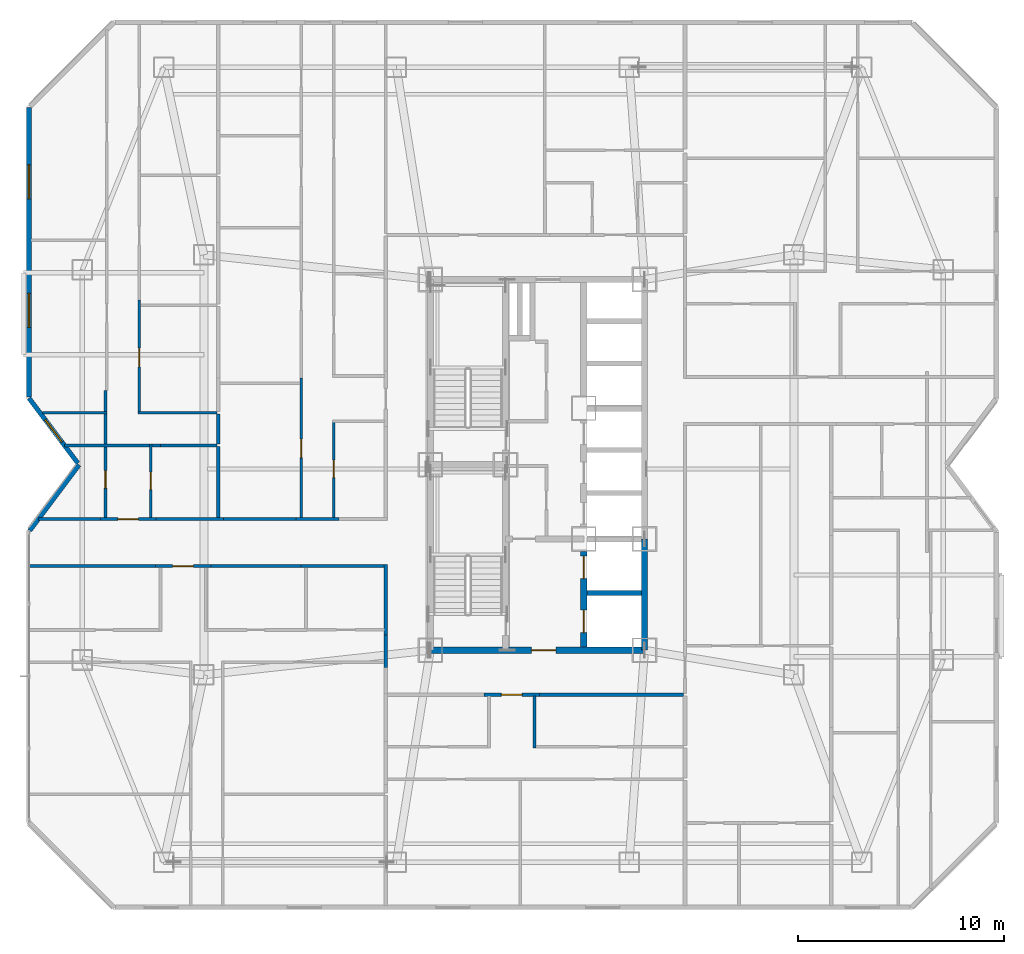
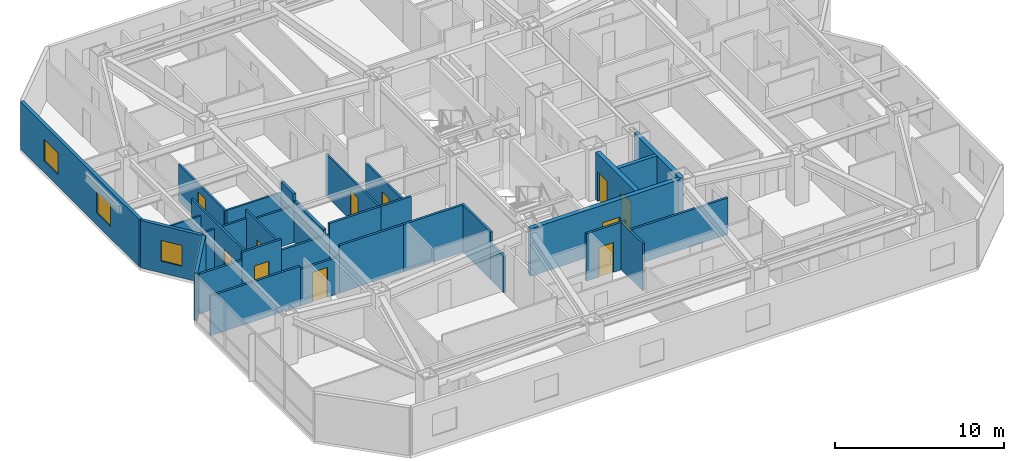
# One storey, part 12 of 19: 32 walls, 11 doors, 3 windows, 14 openings.
"""IFC4 building model written with IfcOpenShell, lengths in metres."""

from ifc_helpers import new_model, si_unit, direction, frame, frame_2d, origin, place, context, subcontext, project, spatial, rectangle, extrude, material, layer, layer_set, type_object, element, fill, save


model = new_model("IFC4")

# Units and contexts
model_context = context("Model", 3, precision=1e-05, world=origin(), true_north=direction((0.0, 1.0)))
body_context = subcontext(model_context, "Body", "Model", "MODEL_VIEW")
ifc_project = project(units=[si_unit("LENGTHUNIT", "METRE"), si_unit("AREAUNIT", "SQUARE_METRE"), si_unit("VOLUMEUNIT", "CUBIC_METRE"), si_unit("PLANEANGLEUNIT", "RADIAN"), si_unit("MASSUNIT", "GRAM", prefix="KILO")], contexts=[model_context])

# Site, building, storey
site_placement = place(None, origin())
site = spatial("IfcSite", under=ifc_project, at=site_placement, CompositionType="ELEMENT")
building_placement = place(site_placement, origin())
building = spatial("IfcBuilding", under=site, at=building_placement, Name="Khamvora Tower", CompositionType="ELEMENT")
storey_placement = place(building_placement, frame((0.0, 0.0, 120.14990234375)))
storey = spatial("IfcBuildingStorey", under=building, at=storey_placement, Name="L30", CompositionType="ELEMENT", Elevation=120.14990234375)

# Wall, opening, door
ifc_material_1 = material(Name="Concrete C50/60", Category="concrete")
ifc_layer_1 = layer(ifc_material_1, 0.300048828125)
ifc_layer_set_1 = layer_set([ifc_layer_1], Name="Concrete C50/60")
wall_type_1 = type_object("IfcWallType", Name="WAL-CORE-300", PredefinedType="SHEAR", material=ifc_layer_set_1)
wall_1_placement = place(storey_placement, frame((29.0, 19.0, 0.0), z_axis=(0.0, 0.0, 1.0), x_axis=(1.0, 0.0, 0.0)))
wall_1 = element("IfcWall", 1, at=wall_1_placement, inside=storey, type_object=wall_type_1, Name="L30 central core south wall", PredefinedType="SHEAR", context=body_context, shape_type="SweptSolid", body=[
    extrude(rectangle(XDim=10.39990234375, YDim=0.300048828125, at=frame_2d((5.199951171875, 0.0))), origin(), (0.0, 0.0, 1.0), 3.43017578125),
])
opening_1_placement = place(wall_1_placement, frame((4.89990234375, 0.0, 0.0)))
opening_1 = element("IfcOpeningElement", 2, at=opening_1_placement, cuts=wall_1, Name="Opening D-CR1", PredefinedType="OPENING", context=body_context, shape_type="SweptSolid", body=[
    extrude(rectangle(XDim=1.199951171875, YDim=2.14990234375, at=frame_2d((0.60009765625, 1.074951171875))), frame((0.0, 0.159912109375, 0.0), z_axis=(0.0, -1.0, 0.0), x_axis=(1.0, 0.0, 0.0)), (0.0, 0.0, 1.0), 0.320068359375),
])
ifc_material_2 = material(Name="Powder-Coated Steel and Hardwood Leaf", Category="steel")
door_type_1 = type_object("IfcDoorType", Name="DOR-CORR-1200", OperationType="NOTDEFINED", PredefinedType="DOOR", material=ifc_material_2)
door_1_placement = place(opening_1_placement, origin())
door_1 = element("IfcDoor", 3, at=door_1_placement, inside=storey, type_object=door_type_1, Name="L30 south core lobby to corridor fire door", OperationType="SINGLE_SWING_LEFT", OverallHeight=2.14990234375, OverallWidth=1.199951171875, PredefinedType="DOOR", context=body_context, shape_type="SweptSolid", body=[
    extrude(rectangle(XDim=1.199951171875, YDim=2.14990234375, at=frame_2d((0.60009765625, 1.074951171875))), frame((0.0, 0.02490234375, 0.0), z_axis=(0.0, -1.0, 0.0), x_axis=(1.0, 0.0, 0.0)), (0.0, 0.0, 1.0), 0.050048828125),
])
fill(opening_1, door_1)

# Wall
wall_2_placement = place(storey_placement, frame((39.39990234375, 19.0, 0.0), z_axis=(0.0, 0.0, 1.0), x_axis=(0.0, 1.0, 0.0)))
element("IfcWall", 4, at=wall_2_placement, inside=storey, type_object=wall_type_1, Name="L30 central core east south wall", PredefinedType="SHEAR", context=body_context, shape_type="SweptSolid", body=[
    extrude(rectangle(XDim=5.39990234375, YDim=0.300048828125, at=frame_2d((2.699951171875, 0.0))), origin(), (0.0, 0.0, 1.0), 3.43017578125),
])

# Wall, openings, doors
wall_3_placement = place(storey_placement, frame((36.449951171875, 19.154052734375, 0.0), z_axis=(0.0, 0.0, 1.0), x_axis=(0.0, 1.0, 0.0)))
wall_3 = element("IfcWall", 5, at=wall_3_placement, inside=storey, type_object=wall_type_1, Name="L30 central core lift bank south wall", PredefinedType="SHEAR", context=body_context, shape_type="SweptSolid", body=[
    extrude(rectangle(XDim=4.64599609375, YDim=0.300048828125, at=frame_2d((2.322998046875, 0.0))), origin(), (0.0, 0.0, 1.0), 3.43017578125),
])
opening_2_placement = place(wall_3_placement, frame((0.696044921875, 0.0, 0.0)))
opening_2 = element("IfcOpeningElement", 6, at=opening_2_placement, cuts=wall_3, Name="Opening LD-FFL", PredefinedType="OPENING", context=body_context, shape_type="SweptSolid", body=[
    extrude(rectangle(XDim=1.10009765625, YDim=2.14990234375, at=frame_2d((0.550048828125, 1.074951171875))), frame((0.0, 0.159912109375, 0.0), z_axis=(0.0, -1.0, 0.0), x_axis=(1.0, 0.0, 0.0)), (0.0, 0.0, 1.0), 0.320068359375),
])
opening_3_placement = place(wall_3_placement, frame((3.31591796875, 0.0, 0.0)))
opening_3 = element("IfcOpeningElement", 7, at=opening_3_placement, cuts=wall_3, Name="Opening LD-FFL", PredefinedType="OPENING", context=body_context, shape_type="SweptSolid", body=[
    extrude(rectangle(XDim=1.10009765625, YDim=2.14990234375, at=frame_2d((0.550048828125, 1.074951171875))), frame((0.0, 0.159912109375, 0.0), z_axis=(0.0, -1.0, 0.0), x_axis=(1.0, 0.0, 0.0)), (0.0, 0.0, 1.0), 0.320068359375),
])
door_type_2 = type_object("IfcDoorType", Name="DOR-LIFT-1100", OperationType="SLIDING_TO_LEFT", PredefinedType="DOOR", material=ifc_material_2)
door_2_placement = place(opening_2_placement, origin())
door_2 = element("IfcDoor", 8, at=door_2_placement, inside=storey, type_object=door_type_2, Name="L30 lift landing sliding door FFL-01", OperationType="SLIDING_TO_LEFT", OverallHeight=2.14990234375, OverallWidth=1.10009765625, PredefinedType="DOOR", context=body_context, shape_type="SweptSolid", body=[
    extrude(rectangle(XDim=1.10009765625, YDim=2.14990234375, at=frame_2d((0.550048828125, 1.074951171875))), frame((0.0, 0.02490234375, 0.0), z_axis=(0.0, -1.0, 0.0), x_axis=(1.0, 0.0, 0.0)), (0.0, 0.0, 1.0), 0.050048828125),
])
fill(opening_2, door_2)
door_3_placement = place(opening_3_placement, origin())
door_3 = element("IfcDoor", 9, at=door_3_placement, inside=storey, type_object=door_type_2, Name="L30 lift landing sliding door FFL-02", OperationType="SLIDING_TO_LEFT", OverallHeight=2.14990234375, OverallWidth=1.10009765625, PredefinedType="DOOR", context=body_context, shape_type="SweptSolid", body=[
    extrude(rectangle(XDim=1.10009765625, YDim=2.14990234375, at=frame_2d((0.550048828125, 1.074951171875))), frame((0.0, 0.02490234375, 0.0), z_axis=(0.0, -1.0, 0.0), x_axis=(1.0, 0.0, 0.0)), (0.0, 0.0, 1.0), 0.050048828125),
])
fill(opening_3, door_3)

# Walls
ifc_material_3 = material(Name="Fire-Rated Drywall and Steel Stud", Category="steel")
ifc_layer_2 = layer(ifc_material_3, 0.14990234375)
ifc_layer_set_2 = layer_set([ifc_layer_2], Name="Fire-Rated Drywall and Steel Stud")
wall_type_2 = type_object("IfcWallType", Name="WAL-CORR-150", PredefinedType="STANDARD", material=ifc_layer_set_2)
wall_4_placement = place(storey_placement, frame((26.8349609375, 19.73388671875, 0.0), z_axis=(0.0, 0.0, 1.0), x_axis=(0.0, 1.0, 0.0)))
element("IfcWall", 10, at=wall_4_placement, inside=storey, type_object=wall_type_2, Name="L30 interior partition wall 007", PredefinedType="STANDARD", context=body_context, shape_type="SweptSolid", body=[
    extrude(rectangle(XDim=3.416015625, YDim=0.14990234375, at=frame_2d((1.7080078125, 0.0))), origin(), (0.0, 0.0, 1.0), 3.43017578125),
])
wall_5_placement = place(storey_placement, frame((26.89794921875, 23.0849609375, 0.0), z_axis=(0.0, 0.0, 1.0), x_axis=(-1.0, 0.0, 0.0)))
element("IfcWall", 11, at=wall_5_placement, inside=storey, type_object=wall_type_2, Name="L30 interior partition wall 008", PredefinedType="STANDARD", context=body_context, shape_type="SweptSolid", body=[
    extrude(rectangle(XDim=4.19189453125, YDim=0.14990234375, at=frame_2d((2.095947265625, 0.0))), origin(), (0.0, 0.0, 1.0), 3.43017578125),
])
wall_6_placement = place(storey_placement, frame((26.8349609375, 18.154052734375, 0.0), z_axis=(0.0, 0.0, 1.0), x_axis=(0.0, 1.0, 0.0)))
element("IfcWall", 12, at=wall_6_placement, inside=storey, type_object=wall_type_2, Name="L30 interior partition wall 009", PredefinedType="STANDARD", context=body_context, shape_type="SweptSolid", body=[
    extrude(rectangle(XDim=1.579833984375, YDim=0.14990234375, at=frame_2d((0.7900390625, 0.0))), origin(), (0.0, 0.0, 1.0), 2.647216796875),
])

# Wall, opening, door
wall_7_placement = place(storey_placement, frame((18.339111328125, 23.0849609375, 0.0), z_axis=(0.0, 0.0, 1.0), x_axis=(-1.0, 0.0, 0.0)))
wall_7 = element("IfcWall", 13, at=wall_7_placement, inside=storey, type_object=wall_type_2, Name="L30 interior partition wall 010", PredefinedType="STANDARD", context=body_context, shape_type="SweptSolid", body=[
    extrude(rectangle(XDim=2.697998046875, YDim=0.14990234375, at=frame_2d((1.34912109375, 0.0))), origin(), (0.0, 0.0, 1.0), 2.647216796875),
])
opening_4_placement = place(wall_7_placement, frame((0.84912109375, 0.0, 0.0)))
opening_4 = element("IfcOpeningElement", 14, at=opening_4_placement, cuts=wall_7, Name="Opening D-U1", PredefinedType="OPENING", context=body_context, shape_type="SweptSolid", body=[
    extrude(rectangle(XDim=1.0, YDim=2.14990234375, at=frame_2d((0.5, 1.074951171875))), frame((0.0, 0.0849609375, 0.0), z_axis=(0.0, -1.0, 0.0), x_axis=(1.0, 0.0, 0.0)), (0.0, 0.0, 1.0), 0.169921875),
])
door_type_3 = type_object("IfcDoorType", Name="DOR-UNIT-1000", OperationType="NOTDEFINED", PredefinedType="DOOR", material=ifc_material_2)
door_4_placement = place(opening_4_placement, origin())
door_4 = element("IfcDoor", 15, at=door_4_placement, inside=storey, type_object=door_type_3, Name="L30 interior door COR-30WAH", OperationType="SINGLE_SWING_RIGHT", OverallHeight=2.14990234375, OverallWidth=1.0, PredefinedType="DOOR", context=body_context, shape_type="SweptSolid", body=[
    extrude(rectangle(XDim=1.0, YDim=2.14990234375, at=frame_2d((0.5, 1.074951171875))), frame((0.0, 0.02490234375, 0.0), z_axis=(0.0, -1.0, 0.0), x_axis=(1.0, 0.0, 0.0)), (0.0, 0.0, 1.0), 0.050048828125),
])
fill(opening_4, door_4)

# Walls
wall_8_placement = place(storey_placement, frame((22.7060546875, 23.0849609375, 0.0), z_axis=(0.0, 0.0, 1.0), x_axis=(-1.0, 0.0, 0.0)))
element("IfcWall", 16, at=wall_8_placement, inside=storey, type_object=wall_type_2, Name="L30 interior partition wall 011", PredefinedType="STANDARD", context=body_context, shape_type="SweptSolid", body=[
    extrude(rectangle(XDim=4.366943359375, YDim=0.14990234375, at=frame_2d((2.18359375, 0.0))), origin(), (0.0, 0.0, 1.0), 3.43017578125),
])
wall_9_placement = place(storey_placement, frame((15.64111328125, 23.0849609375, 0.0), z_axis=(0.0, 0.0, 1.0), x_axis=(-1.0, 0.0, 0.0)))
element("IfcWall", 17, at=wall_9_placement, inside=storey, type_object=wall_type_2, Name="L30 interior partition wall 012", PredefinedType="STANDARD", context=body_context, shape_type="SweptSolid", body=[
    extrude(rectangle(XDim=6.131103515625, YDim=0.14990234375, at=frame_2d((3.0654296875, 0.0))), origin(), (0.0, 0.0, 1.0), 2.8759765625),
])

# Wall, opening, door
wall_10_placement = place(storey_placement, frame((12.97607421875, 25.364990234375, 0.0), z_axis=(0.0, 0.0, 1.0), x_axis=(1.0, 0.0, 0.0)))
wall_10 = element("IfcWall", 18, at=wall_10_placement, inside=storey, type_object=wall_type_2, Name="L30 interior partition wall 014", PredefinedType="STANDARD", context=body_context, shape_type="SweptSolid", body=[
    extrude(rectangle(XDim=2.697998046875, YDim=0.14990234375, at=frame_2d((1.34912109375, 0.0))), origin(), (0.0, 0.0, 1.0), 3.43017578125),
])
opening_5_placement = place(wall_10_placement, frame((0.84912109375, 0.0, 0.0)))
opening_5 = element("IfcOpeningElement", 19, at=opening_5_placement, cuts=wall_10, Name="Opening D-U1", PredefinedType="OPENING", context=body_context, shape_type="SweptSolid", body=[
    extrude(rectangle(XDim=1.0, YDim=2.14990234375, at=frame_2d((0.5, 1.074951171875))), frame((0.0, 0.0849609375, 0.0), z_axis=(0.0, -1.0, 0.0), x_axis=(1.0, 0.0, 0.0)), (0.0, 0.0, 1.0), 0.169921875),
])
door_5_placement = place(opening_5_placement, origin())
door_5 = element("IfcDoor", 20, at=door_5_placement, inside=storey, type_object=door_type_3, Name="L30 interior door COR-30WBH", OperationType="SINGLE_SWING_LEFT", OverallHeight=2.14990234375, OverallWidth=1.0, PredefinedType="DOOR", context=body_context, shape_type="SweptSolid", body=[
    extrude(rectangle(XDim=1.0, YDim=2.14990234375, at=frame_2d((0.5, 1.074951171875))), frame((0.0, 0.02490234375, 0.0), z_axis=(0.0, -1.0, 0.0), x_axis=(1.0, 0.0, 0.0)), (0.0, 0.0, 1.0), 0.050048828125),
])
fill(opening_5, door_5)

# Walls
wall_11_placement = place(storey_placement, frame((9.97412109375, 25.364990234375, 0.0), z_axis=(0.0, 0.0, 1.0), x_axis=(1.0, 0.0, 0.0)))
element("IfcWall", 21, at=wall_11_placement, inside=storey, type_object=wall_type_2, Name="L30 interior partition wall 015", PredefinedType="STANDARD", context=body_context, shape_type="SweptSolid", body=[
    extrude(rectangle(XDim=3.001953125, YDim=0.14990234375, at=frame_2d((1.5009765625, 0.0))), origin(), (0.0, 0.0, 1.0), 2.8759765625),
])
wall_12_placement = place(storey_placement, frame((15.674072265625, 25.364990234375, 0.0), z_axis=(0.0, 0.0, 1.0), x_axis=(1.0, 0.0, 0.0)))
element("IfcWall", 22, at=wall_12_placement, inside=storey, type_object=wall_type_2, Name="L30 interior partition wall 016", PredefinedType="STANDARD", context=body_context, shape_type="SweptSolid", body=[
    extrude(rectangle(XDim=3.280029296875, YDim=0.14990234375, at=frame_2d((1.64013671875, 0.0))), origin(), (0.0, 0.0, 1.0), 2.647216796875),
])
wall_13_placement = place(storey_placement, frame((22.47607421875, 25.364990234375, 0.0), z_axis=(0.0, 0.0, 1.0), x_axis=(1.0, 0.0, 0.0)))
element("IfcWall", 23, at=wall_13_placement, inside=storey, type_object=wall_type_2, Name="L30 interior partition wall 018", PredefinedType="STANDARD", context=body_context, shape_type="SweptSolid", body=[
    extrude(rectangle(XDim=2.077880859375, YDim=0.14990234375, at=frame_2d((1.0390625, 0.0))), origin(), (0.0, 0.0, 1.0), 3.43017578125),
])
wall_14_placement = place(storey_placement, frame((18.9541015625, 25.364990234375, 0.0), z_axis=(0.0, 0.0, 1.0), x_axis=(1.0, 0.0, 0.0)))
element("IfcWall", 24, at=wall_14_placement, inside=storey, type_object=wall_type_2, Name="L30 interior partition wall 023", PredefinedType="STANDARD", context=body_context, shape_type="SweptSolid", body=[
    extrude(rectangle(XDim=3.52197265625, YDim=0.14990234375, at=frame_2d((1.760986328125, 0.0))), origin(), (0.0, 0.0, 1.0), 3.43017578125),
])

# Wall, opening, door
wall_15_placement = place(storey_placement, frame((34.299072265625, 16.8349609375, 0.0), z_axis=(0.0, 0.0, 1.0), x_axis=(-1.0, 0.0, 0.0)))
wall_15 = element("IfcWall", 25, at=wall_15_placement, inside=storey, type_object=wall_type_2, Name="L30 interior partition wall 024", PredefinedType="STANDARD", context=body_context, shape_type="SweptSolid", body=[
    extrude(rectangle(XDim=2.697998046875, YDim=0.14990234375, at=frame_2d((1.34912109375, 0.0))), origin(), (0.0, 0.0, 1.0), 3.43017578125),
])
opening_6_placement = place(wall_15_placement, frame((0.84912109375, 0.0, 0.0)))
opening_6 = element("IfcOpeningElement", 26, at=opening_6_placement, cuts=wall_15, Name="Opening D-U1", PredefinedType="OPENING", context=body_context, shape_type="SweptSolid", body=[
    extrude(rectangle(XDim=1.0, YDim=2.14990234375, at=frame_2d((0.5, 1.074951171875))), frame((0.0, 0.0849609375, 0.0), z_axis=(0.0, -1.0, 0.0), x_axis=(1.0, 0.0, 0.0)), (0.0, 0.0, 1.0), 0.169921875),
])
door_6_placement = place(opening_6_placement, origin())
door_6 = element("IfcDoor", 27, at=door_6_placement, inside=storey, type_object=door_type_3, Name="L30 interior door COR-30SAH", OperationType="SINGLE_SWING_LEFT", OverallHeight=2.14990234375, OverallWidth=1.0, PredefinedType="DOOR", context=body_context, shape_type="SweptSolid", body=[
    extrude(rectangle(XDim=1.0, YDim=2.14990234375, at=frame_2d((0.5, 1.074951171875))), frame((0.0, 0.02490234375, 0.0), z_axis=(0.0, -1.0, 0.0), x_axis=(1.0, 0.0, 0.0)), (0.0, 0.0, 1.0), 0.050048828125),
])
fill(opening_6, door_6)

# Walls
wall_16_placement = place(storey_placement, frame((41.300048828125, 16.8349609375, 0.0), z_axis=(0.0, 0.0, 1.0), x_axis=(-1.0, 0.0, 0.0)))
element("IfcWall", 28, at=wall_16_placement, inside=storey, type_object=wall_type_2, Name="L30 interior partition wall 026", PredefinedType="STANDARD", context=body_context, shape_type="SweptSolid", body=[
    extrude(rectangle(XDim=7.0009765625, YDim=0.14990234375, at=frame_2d((3.50048828125, 0.0))), origin(), (0.0, 0.0, 1.0), 2.647216796875),
])
ifc_material_4 = material(Name="Acoustic Double-Stud Fire Wall", Category="gypsum")
ifc_layer_3 = layer(ifc_material_4, 0.179931640625)
ifc_layer_set_3 = layer_set([ifc_layer_3], Name="Acoustic Double-Stud Fire Wall")
wall_type_3 = type_object("IfcWallType", Name="WAL-CORR-180", PredefinedType="STANDARD", material=ifc_layer_set_3)
wall_17_placement = place(storey_placement, frame((18.705078125, 30.4599609375, 0.0), z_axis=(0.0, 0.0, 1.0), x_axis=(0.0, -1.0, 0.0)))
element("IfcWall", 29, at=wall_17_placement, inside=storey, type_object=wall_type_3, Name="L30 interior partition wall 075", PredefinedType="STANDARD", context=body_context, shape_type="SweptSolid", body=[
    extrude(rectangle(XDim=1.449951171875, YDim=0.179931640625, at=frame_2d((0.72509765625, 0.0))), origin(), (0.0, 0.0, 1.0), 3.43017578125),
])
wall_18_placement = place(storey_placement, frame((18.705078125, 28.8798828125, 0.0), z_axis=(0.0, 0.0, 1.0), x_axis=(0.0, -1.0, 0.0)))
element("IfcWall", 30, at=wall_18_placement, inside=storey, type_object=wall_type_3, Name="L30 interior partition wall 076", PredefinedType="STANDARD", context=body_context, shape_type="SweptSolid", body=[
    extrude(rectangle(XDim=3.449951171875, YDim=0.179931640625, at=frame_2d((1.72509765625, 0.0))), origin(), (0.0, 0.0, 1.0), 3.01318359375),
])
ifc_material_5 = material(Name="Precast concrete C40/50", Category="concrete")
ifc_layer_4 = layer(ifc_material_5, 0.219970703125)
ifc_layer_set_4 = layer_set([ifc_layer_4], Name="Precast concrete C40/50")
wall_type_4 = type_object("IfcWallType", Name="WAL-EXT-220", PredefinedType="STANDARD", material=ifc_layer_set_4)
wall_19_placement = place(storey_placement, frame((9.5439453125, 24.80810546875, 0.0), z_axis=(0.0, 0.0, 1.0), x_axis=(0.600019580308, 0.799985314394, 0.0)))
element("IfcWall", 31, at=wall_19_placement, inside=storey, type_object=wall_type_4, Name="L30 exterior facade wall 03.1", PredefinedType="STANDARD", context=body_context, shape_type="SweptSolid", body=[
    extrude(rectangle(XDim=3.989990234375, YDim=0.219970703125, at=frame_2d((1.9951171875, 0.0))), origin(), (0.0, 0.0, 1.0), 3.43017578125),
])

# Wall, opening, window
wall_20_placement = place(storey_placement, frame((11.881103515625, 28.076904296875, 0.0), z_axis=(0.0, 0.0, 1.0), x_axis=(-0.600158184825, 0.799881336942, 0.0)))
wall_20 = element("IfcWall", 32, at=wall_20_placement, inside=storey, type_object=wall_type_4, Name="L30 exterior facade wall 04.1", PredefinedType="STANDARD", context=body_context, shape_type="SweptSolid", body=[
    extrude(rectangle(XDim=3.95068359375, YDim=0.219970703125, at=frame_2d((1.975341796875, 0.0))), origin(), (0.0, 0.0, 1.0), 3.43017578125),
])
opening_7_placement = place(wall_20_placement, frame((1.291015625, 0.0, 0.85009765625)))
opening_7 = element("IfcOpeningElement", 33, at=opening_7_placement, cuts=wall_20, Name="Opening WN-07", PredefinedType="OPENING", context=body_context, shape_type="SweptSolid", body=[
    extrude(rectangle(XDim=1.35009765625, YDim=1.5, at=frame_2d((0.675048828125, 0.75))), frame((0.0, 0.119873046875, 0.0), z_axis=(0.0, -1.0, 0.0), x_axis=(1.0, 0.0, 0.0)), (0.0, 0.0, 1.0), 0.239990234375),
])
ifc_material_6 = material(Name="Low-E Laminated Double Glazing", Category="glass")
window_type_1 = type_object("IfcWindowType", Name="WIN-VIS-1350x1500", PartitioningType="SINGLE_PANEL", PredefinedType="WINDOW", material=ifc_material_6)
window_1_placement = place(opening_7_placement, origin())
window_1 = element("IfcWindow", 34, at=window_1_placement, inside=storey, type_object=window_type_1, Name="L30 vision window 04.1.01", OverallHeight=1.5, OverallWidth=1.35009765625, PartitioningType="SINGLE_PANEL", PredefinedType="WINDOW", context=body_context, shape_type="SweptSolid", body=[
    extrude(rectangle(XDim=1.35009765625, YDim=1.5, at=frame_2d((0.675048828125, 0.75))), frame((0.0, 0.030029296875, 0.0), z_axis=(0.0, -1.0, 0.0), x_axis=(1.0, 0.0, 0.0)), (0.0, 0.0, 1.0), 0.06005859375),
])
fill(opening_7, window_1)

# Wall, openings, windows
wall_21_placement = place(storey_placement, frame((9.510009765625, 31.29296875, 0.0), z_axis=(0.0, 0.0, 1.0), x_axis=(0.0, 1.0, 0.0)))
wall_21 = element("IfcWall", 35, at=wall_21_placement, inside=storey, type_object=wall_type_4, Name="L30 exterior facade wall 05.1", PredefinedType="STANDARD", context=body_context, shape_type="SweptSolid", body=[
    extrude(rectangle(XDim=14.06103515625, YDim=0.219970703125, at=frame_2d((7.030517578125, 0.0))), origin(), (0.0, 0.0, 1.0), 3.43017578125),
])
opening_8_placement = place(wall_21_placement, frame((3.3779296875, 0.0, 0.85009765625)))
opening_8 = element("IfcOpeningElement", 36, at=opening_8_placement, cuts=wall_21, Name="Opening WN-06", PredefinedType="OPENING", context=body_context, shape_type="SweptSolid", body=[
    extrude(rectangle(XDim=1.64990234375, YDim=1.550048828125, at=frame_2d((0.824951171875, 0.77490234375))), frame((0.0, 0.119873046875, 0.0), z_axis=(0.0, -1.0, 0.0), x_axis=(1.0, 0.0, 0.0)), (0.0, 0.0, 1.0), 0.239990234375),
])
opening_9_placement = place(wall_21_placement, frame((9.6240234375, 0.0, 0.85009765625)))
opening_9 = element("IfcOpeningElement", 37, at=opening_9_placement, cuts=wall_21, Name="Opening WN-06", PredefinedType="OPENING", context=body_context, shape_type="SweptSolid", body=[
    extrude(rectangle(XDim=1.64990234375, YDim=1.550048828125, at=frame_2d((0.824951171875, 0.77490234375))), frame((0.0, 0.119873046875, 0.0), z_axis=(0.0, -1.0, 0.0), x_axis=(1.0, 0.0, 0.0)), (0.0, 0.0, 1.0), 0.239990234375),
])
window_type_2 = type_object("IfcWindowType", Name="WIN-VIS-1650x1550", PartitioningType="SINGLE_PANEL", PredefinedType="WINDOW", material=ifc_material_6)
window_2_placement = place(opening_8_placement, origin())
window_2 = element("IfcWindow", 38, at=window_2_placement, inside=storey, type_object=window_type_2, Name="L30 vision window 05.1.01", OverallHeight=1.550048828125, OverallWidth=1.64990234375, PartitioningType="SINGLE_PANEL", PredefinedType="WINDOW", context=body_context, shape_type="SweptSolid", body=[
    extrude(rectangle(XDim=1.64990234375, YDim=1.550048828125, at=frame_2d((0.824951171875, 0.77490234375))), frame((0.0, 0.030029296875, 0.0), z_axis=(0.0, -1.0, 0.0), x_axis=(1.0, 0.0, 0.0)), (0.0, 0.0, 1.0), 0.06005859375),
])
fill(opening_8, window_2)
window_3_placement = place(opening_9_placement, origin())
window_3 = element("IfcWindow", 39, at=window_3_placement, inside=storey, type_object=window_type_2, Name="L30 vision window 05.1.02", OverallHeight=1.550048828125, OverallWidth=1.64990234375, PartitioningType="SINGLE_PANEL", PredefinedType="WINDOW", context=body_context, shape_type="SweptSolid", body=[
    extrude(rectangle(XDim=1.64990234375, YDim=1.550048828125, at=frame_2d((0.824951171875, 0.77490234375))), frame((0.0, 0.030029296875, 0.0), z_axis=(0.0, -1.0, 0.0), x_axis=(1.0, 0.0, 0.0)), (0.0, 0.0, 1.0), 0.06005859375),
])
fill(opening_9, window_3)

# Wall
ifc_material_7 = material(Name="Gypsum Plasterboard Partition", Category="gypsum")
ifc_layer_5 = layer(ifc_material_7, 0.1201171875)
ifc_layer_set_5 = layer_set([ifc_layer_5], Name="Gypsum Plasterboard Partition")
wall_type_5 = type_object("IfcWallType", Name="WAL-PART-120", PredefinedType="PARTITIONING", material=ifc_layer_set_5)
wall_22_placement = place(storey_placement, frame((10.156005859375, 30.52490234375, 0.0), z_axis=(0.0, 0.0, 1.0), x_axis=(1.0, 0.0, 0.0)))
element("IfcWall", 40, at=wall_22_placement, inside=storey, type_object=wall_type_5, Name="L30 interior partition wall 069", PredefinedType="PARTITIONING", context=body_context, shape_type="SweptSolid", body=[
    extrude(rectangle(XDim=3.134033203125, YDim=0.1201171875, at=frame_2d((1.56689453125, 0.0))), origin(), (0.0, 0.0, 1.0), 2.8759765625),
])

# Wall, opening, door
wall_23_placement = place(storey_placement, frame((14.860107421875, 36.0029296875, 0.0), z_axis=(0.0, 0.0, 1.0), x_axis=(0.0, -1.0, 0.0)))
wall_23 = element("IfcWall", 41, at=wall_23_placement, inside=storey, type_object=wall_type_5, Name="L30 interior partition wall 071", PredefinedType="PARTITIONING", context=body_context, shape_type="SweptSolid", body=[
    extrude(rectangle(XDim=5.54296875, YDim=0.1201171875, at=frame_2d((2.771484375, 0.0))), origin(), (0.0, 0.0, 1.0), 2.68701171875),
])
opening_10_placement = place(wall_23_placement, frame((2.342041015625, 0.0, 0.0)))
opening_10 = element("IfcOpeningElement", 42, at=opening_10_placement, cuts=wall_23, Name="Opening D-RM1", PredefinedType="OPENING", context=body_context, shape_type="SweptSolid", body=[
    extrude(rectangle(XDim=0.89990234375, YDim=2.10009765625, at=frame_2d((0.449951171875, 1.050048828125))), frame((0.0, 0.070068359375, 0.0), z_axis=(0.0, -1.0, 0.0), x_axis=(1.0, 0.0, 0.0)), (0.0, 0.0, 1.0), 0.14013671875),
])
door_type_4 = type_object("IfcDoorType", Name="DOR-ROOM-900", OperationType="NOTDEFINED", PredefinedType="DOOR", material=ifc_material_2)
door_7_placement = place(opening_10_placement, origin())
door_7 = element("IfcDoor", 43, at=door_7_placement, inside=storey, type_object=door_type_4, Name="L30 interior door 30WBH-30WBR3", OperationType="SINGLE_SWING_LEFT", OverallHeight=2.10009765625, OverallWidth=0.89990234375, PredefinedType="DOOR", context=body_context, shape_type="SweptSolid", body=[
    extrude(rectangle(XDim=0.89990234375, YDim=2.10009765625, at=frame_2d((0.449951171875, 1.050048828125))), frame((0.0, 0.02490234375, 0.0), z_axis=(0.0, -1.0, 0.0), x_axis=(1.0, 0.0, 0.0)), (0.0, 0.0, 1.0), 0.050048828125),
])
fill(opening_10, door_7)

# Wall
wall_24_placement = place(storey_placement, frame((14.794921875, 30.52490234375, 0.0), z_axis=(0.0, 0.0, 1.0), x_axis=(1.0, 0.0, 0.0)))
element("IfcWall", 44, at=wall_24_placement, inside=storey, type_object=wall_type_5, Name="L30 interior partition wall 072", PredefinedType="PARTITIONING", context=body_context, shape_type="SweptSolid", body=[
    extrude(rectangle(XDim=3.844970703125, YDim=0.1201171875, at=frame_2d((1.92236328125, 0.0))), origin(), (0.0, 0.0, 1.0), 2.647216796875),
])

# Wall, opening, door
wall_25_placement = place(storey_placement, frame((22.72509765625, 25.429931640625, 0.0), z_axis=(0.0, 0.0, 1.0), x_axis=(0.0, 1.0, 0.0)))
wall_25 = element("IfcWall", 45, at=wall_25_placement, inside=storey, type_object=wall_type_5, Name="L30 interior partition wall 092", PredefinedType="PARTITIONING", context=body_context, shape_type="SweptSolid", body=[
    extrude(rectangle(XDim=6.778076171875, YDim=0.1201171875, at=frame_2d((3.38916015625, 0.0))), origin(), (0.0, 0.0, 1.0), 3.01318359375),
])
opening_11_placement = place(wall_25_placement, frame((2.91796875, 0.0, 0.0)))
opening_11 = element("IfcOpeningElement", 46, at=opening_11_placement, cuts=wall_25, Name="Opening D-RM1", PredefinedType="OPENING", context=body_context, shape_type="SweptSolid", body=[
    extrude(rectangle(XDim=0.89990234375, YDim=2.10009765625, at=frame_2d((0.449951171875, 1.050048828125))), frame((0.0, 0.070068359375, 0.0), z_axis=(0.0, -1.0, 0.0), x_axis=(1.0, 0.0, 0.0)), (0.0, 0.0, 1.0), 0.14013671875),
])
door_8_placement = place(opening_11_placement, origin())
door_8 = element("IfcDoor", 47, at=door_8_placement, inside=storey, type_object=door_type_4, Name="L30 interior door 30WCH-30WCL", OperationType="SINGLE_SWING_LEFT", OverallHeight=2.10009765625, OverallWidth=0.89990234375, PredefinedType="DOOR", context=body_context, shape_type="SweptSolid", body=[
    extrude(rectangle(XDim=0.89990234375, YDim=2.10009765625, at=frame_2d((0.449951171875, 1.050048828125))), frame((0.0, 0.02490234375, 0.0), z_axis=(0.0, -1.0, 0.0), x_axis=(1.0, 0.0, 0.0)), (0.0, 0.0, 1.0), 0.050048828125),
])
fill(opening_11, door_8)

# Wall
ifc_material_8 = material(Name="Concrete C40/50", Category="concrete")
ifc_layer_6 = layer(ifc_material_8, 0.25)
ifc_layer_set_6 = layer_set([ifc_layer_6], Name="Concrete C40/50")
wall_type_6 = type_object("IfcWallType", Name="WAL-PODS-250", PredefinedType="SHEAR", material=ifc_layer_set_6)
wall_26_placement = place(storey_placement, frame((36.60400390625, 21.77490234375, 0.0), z_axis=(0.0, 0.0, 1.0), x_axis=(1.0, 0.0, 0.0)))
element("IfcWall", 48, at=wall_26_placement, inside=storey, type_object=wall_type_6, Name="L30 lift shaft divider wall FFL-01", PredefinedType="SHEAR", context=body_context, shape_type="SweptSolid", body=[
    extrude(rectangle(XDim=2.64208984375, YDim=0.25, at=frame_2d((1.321044921875, 0.0))), origin(), (0.0, 0.0, 1.0), 3.43017578125),
])

# Wall, opening, door
ifc_material_9 = material(Name="Moisture-Resistant Plasterboard Partition", Category="gypsum")
ifc_layer_7 = layer(ifc_material_9, 0.135009765625)
ifc_layer_set_7 = layer_set([ifc_layer_7], Name="Moisture-Resistant Plasterboard Partition")
wall_type_7 = type_object("IfcWallType", Name="WAL-WET-135", PredefinedType="PARTITIONING", material=ifc_layer_set_7)
wall_27_placement = place(storey_placement, frame((13.22509765625, 25.429931640625, 0.0), z_axis=(0.0, 0.0, 1.0), x_axis=(0.0, 1.0, 0.0)))
wall_27 = element("IfcWall", 49, at=wall_27_placement, inside=storey, type_object=wall_type_7, Name="L30 interior partition wall 064", PredefinedType="PARTITIONING", context=body_context, shape_type="SweptSolid", body=[
    extrude(rectangle(XDim=6.18017578125, YDim=0.135009765625, at=frame_2d((3.090087890625, 0.0))), origin(), (0.0, 0.0, 1.0), 3.43017578125),
])
opening_12_placement = place(wall_27_placement, frame((1.43603515625, 0.0, 0.0)))
opening_12 = element("IfcOpeningElement", 50, at=opening_12_placement, cuts=wall_27, Name="Opening D-WC1", PredefinedType="OPENING", context=body_context, shape_type="SweptSolid", body=[
    extrude(rectangle(XDim=0.85009765625, YDim=2.10009765625, at=frame_2d((0.425048828125, 1.050048828125))), frame((0.0, 0.077392578125, 0.0), z_axis=(0.0, -1.0, 0.0), x_axis=(1.0, 0.0, 0.0)), (0.0, 0.0, 1.0), 0.155029296875),
])
door_type_5 = type_object("IfcDoorType", Name="DOR-WET-850", OperationType="NOTDEFINED", PredefinedType="DOOR", material=ifc_material_2)
door_9_placement = place(opening_12_placement, origin())
door_9 = element("IfcDoor", 51, at=door_9_placement, inside=storey, type_object=door_type_5, Name="L30 interior door 30WBH-30WBB", OperationType="SINGLE_SWING_LEFT", OverallHeight=2.10009765625, OverallWidth=0.85009765625, PredefinedType="DOOR", context=body_context, shape_type="SweptSolid", body=[
    extrude(rectangle(XDim=0.85009765625, YDim=2.10009765625, at=frame_2d((0.425048828125, 1.050048828125))), frame((0.0, 0.02490234375, 0.0), z_axis=(0.0, -1.0, 0.0), x_axis=(1.0, 0.0, 0.0)), (0.0, 0.0, 1.0), 0.050048828125),
])
fill(opening_12, door_9)

# Walls
wall_28_placement = place(storey_placement, frame((15.889892578125, 28.945068359375, 0.0), z_axis=(0.0, 0.0, 1.0), x_axis=(-1.0, 0.0, 0.0)))
element("IfcWall", 52, at=wall_28_placement, inside=storey, type_object=wall_type_7, Name="L30 interior partition wall 065", PredefinedType="PARTITIONING", context=body_context, shape_type="SweptSolid", body=[
    extrude(rectangle(XDim=4.64794921875, YDim=0.135009765625, at=frame_2d((2.323974609375, 0.0))), origin(), (0.0, 0.0, 1.0), 2.8759765625),
])
wall_29_placement = place(storey_placement, frame((18.639892578125, 28.945068359375, 0.0), z_axis=(0.0, 0.0, 1.0), x_axis=(-1.0, 0.0, 0.0)))
element("IfcWall", 53, at=wall_29_placement, inside=storey, type_object=wall_type_7, Name="L30 interior partition wall 066", PredefinedType="PARTITIONING", context=body_context, shape_type="SweptSolid", body=[
    extrude(rectangle(XDim=2.75, YDim=0.135009765625, at=frame_2d((1.375, 0.0))), origin(), (0.0, 0.0, 1.0), 2.647216796875),
])

# Wall, opening, door
wall_30_placement = place(storey_placement, frame((15.425048828125, 29.010009765625, 0.0), z_axis=(0.0, 0.0, 1.0), x_axis=(0.0, -1.0, 0.0)))
wall_30 = element("IfcWall", 54, at=wall_30_placement, inside=storey, type_object=wall_type_7, Name="L30 interior partition wall 067", PredefinedType="PARTITIONING", context=body_context, shape_type="SweptSolid", body=[
    extrude(rectangle(XDim=3.580078125, YDim=0.135009765625, at=frame_2d((1.7900390625, 0.0))), origin(), (0.0, 0.0, 1.0), 3.43017578125),
])
opening_13_placement = place(wall_30_placement, frame((1.364990234375, 0.0, 0.0)))
opening_13 = element("IfcOpeningElement", 55, at=opening_13_placement, cuts=wall_30, Name="Opening D-RM2", PredefinedType="OPENING", context=body_context, shape_type="SweptSolid", body=[
    extrude(rectangle(XDim=0.85009765625, YDim=2.10009765625, at=frame_2d((0.425048828125, 1.050048828125))), frame((0.0, 0.077392578125, 0.0), z_axis=(0.0, -1.0, 0.0), x_axis=(1.0, 0.0, 0.0)), (0.0, 0.0, 1.0), 0.155029296875),
])
door_type_6 = type_object("IfcDoorType", Name="DOR-ROOM-850", OperationType="NOTDEFINED", PredefinedType="DOOR", material=ifc_material_2)
door_10_placement = place(opening_13_placement, origin())
door_10 = element("IfcDoor", 56, at=door_10_placement, inside=storey, type_object=door_type_6, Name="L30 interior door 30WBH-30WBK", OperationType="SINGLE_SWING_RIGHT", OverallHeight=2.10009765625, OverallWidth=0.85009765625, PredefinedType="DOOR", context=body_context, shape_type="SweptSolid", body=[
    extrude(rectangle(XDim=0.85009765625, YDim=2.10009765625, at=frame_2d((0.425048828125, 1.050048828125))), frame((0.0, 0.02490234375, 0.0), z_axis=(0.0, -1.0, 0.0), x_axis=(1.0, 0.0, 0.0)), (0.0, 0.0, 1.0), 0.050048828125),
])
fill(opening_13, door_10)

wall_31_placement = place(storey_placement, frame((24.304931640625, 30.180908203125, 0.0), z_axis=(0.0, 0.0, 1.0), x_axis=(0.0, -1.0, 0.0)))
wall_31 = element("IfcWall", 57, at=wall_31_placement, inside=storey, type_object=wall_type_7, Name="L30 interior partition wall 089", PredefinedType="PARTITIONING", context=body_context, shape_type="SweptSolid", body=[
    extrude(rectangle(XDim=4.7509765625, YDim=0.135009765625, at=frame_2d((2.37548828125, 0.0))), origin(), (0.0, 0.0, 1.0), 3.01318359375),
])
opening_14_placement = place(wall_31_placement, frame((1.950927734375, 0.0, 0.0)))
opening_14 = element("IfcOpeningElement", 58, at=opening_14_placement, cuts=wall_31, Name="Opening D-WC1", PredefinedType="OPENING", context=body_context, shape_type="SweptSolid", body=[
    extrude(rectangle(XDim=0.85009765625, YDim=2.10009765625, at=frame_2d((0.425048828125, 1.050048828125))), frame((0.0, 0.077392578125, 0.0), z_axis=(0.0, -1.0, 0.0), x_axis=(1.0, 0.0, 0.0)), (0.0, 0.0, 1.0), 0.155029296875),
])
door_11_placement = place(opening_14_placement, origin())
door_11 = element("IfcDoor", 59, at=door_11_placement, inside=storey, type_object=door_type_5, Name="L30 interior door 30WCH-30WCB", OperationType="SINGLE_SWING_LEFT", OverallHeight=2.10009765625, OverallWidth=0.85009765625, PredefinedType="DOOR", context=body_context, shape_type="SweptSolid", body=[
    extrude(rectangle(XDim=0.85009765625, YDim=2.10009765625, at=frame_2d((0.425048828125, 1.050048828125))), frame((0.0, 0.02490234375, 0.0), z_axis=(0.0, -1.0, 0.0), x_axis=(1.0, 0.0, 0.0)), (0.0, 0.0, 1.0), 0.050048828125),
])
fill(opening_14, door_11)

# Wall
wall_32_placement = place(storey_placement, frame((34.050048828125, 16.77001953125, 0.0), z_axis=(0.0, 0.0, 1.0), x_axis=(0.0, -1.0, 0.0)))
element("IfcWall", 60, at=wall_32_placement, inside=storey, type_object=wall_type_7, Name="L30 interior partition wall 101", PredefinedType="PARTITIONING", context=body_context, shape_type="SweptSolid", body=[
    extrude(rectangle(XDim=2.530029296875, YDim=0.135009765625, at=frame_2d((1.26513671875, 0.0))), origin(), (0.0, 0.0, 1.0), 3.43017578125),
])

save(model, "model.ifc")
